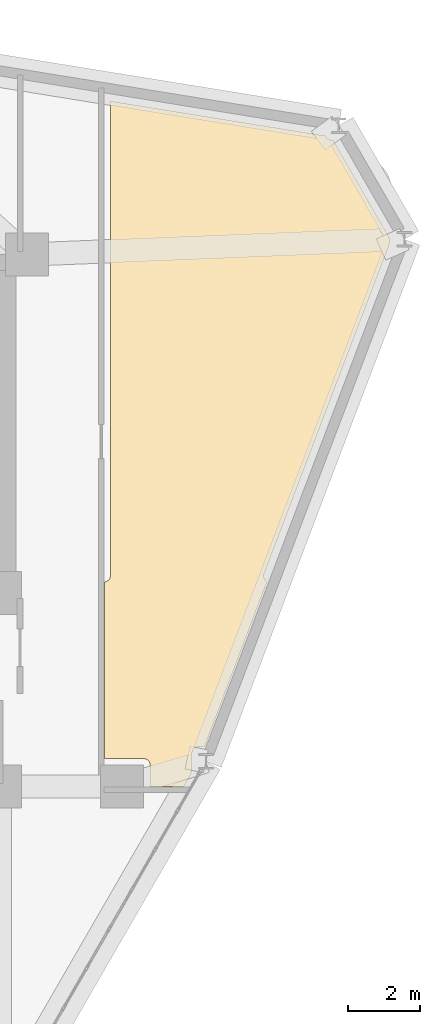
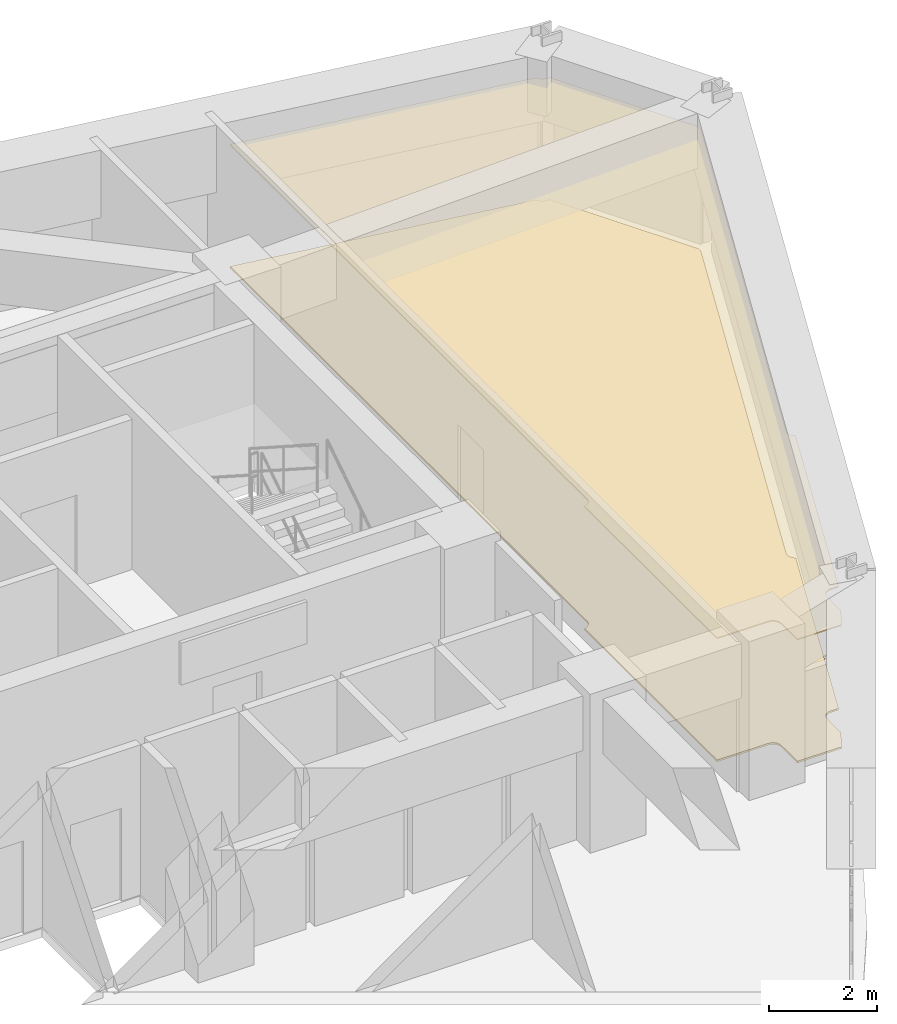
# One storey, part 16 of 16: 2 coverings.
"""IFC4 building model written with IfcOpenShell, lengths in metres."""

from ifc_helpers import new_model, si_unit, derived_unit, direction, frame, origin, place, context, subcontext, project, spatial, polyline, outline, extrude, material, layer, layer_set, type_object, element, save


model = new_model("IFC4")

# Units and contexts
model_context = context("Model", 3, precision=1e-05, world=origin(), true_north=direction((0.0, 1.0)))
body_context = subcontext(model_context, "Body", "Model", "MODEL_VIEW")
ifc_project = project(units=[si_unit("LENGTHUNIT", "METRE"), si_unit("AREAUNIT", "SQUARE_METRE"), si_unit("VOLUMEUNIT", "CUBIC_METRE"), si_unit("PLANEANGLEUNIT", "RADIAN"), si_unit("MASSUNIT", "GRAM", prefix="KILO"), derived_unit("THERMALTRANSMITTANCEUNIT", [(si_unit("POWERUNIT", "WATT"), 1), (si_unit("LENGTHUNIT", "METRE"), -2), (si_unit("THERMODYNAMICTEMPERATUREUNIT", "KELVIN"), -1)])], contexts=[model_context])

# Site, building, storey
site_placement = place(None, origin())
site = spatial("IfcSite", under=ifc_project, at=site_placement, CompositionType="ELEMENT")
building_placement = place(site_placement, origin())
building = spatial("IfcBuilding", under=site, at=building_placement, Name="Korsvarv Bourse and Concert Hall", CompositionType="ELEMENT")
storey_placement = place(building_placement, frame((0.0, 0.0, 143.39990234375)))
storey = spatial("IfcBuildingStorey", under=building, at=storey_placement, Name="L36", CompositionType="ELEMENT", Elevation=143.39990234375)

# Coverings
ifc_material_1 = material(Name="Perforated mineral-wool and birch acoustic baffle ceiling", Category="wood")
ifc_layer_1 = layer(ifc_material_1, 0.02490234375)
ifc_layer_set_1 = layer_set([ifc_layer_1], Name="Perforated mineral-wool and birch acoustic baffle ceiling")
covering_type_1 = type_object("IfcCoveringType", Name="COV-CEIL-1", PredefinedType="CEILING", material=ifc_layer_set_1)
covering_1_placement = place(storey_placement, frame((0.0, 0.0, 2.780029296875)))
element("IfcCovering", 1, at=covering_1_placement, inside=storey, type_object=covering_type_1, Name="L36 acoustic baffle ceiling 1", PredefinedType="CEILING", context=body_context, shape_type="SweptSolid", body=[
    extrude(outline(polyline([(47.320068359375, 38.111328125), (47.34521484375, 38.11572265625), (47.37939453125, 38.12841796875), (47.41015625, 38.147705078125), (47.4365234375, 38.1728515625), (47.45751953125, 38.20263671875), (47.4716796875, 38.236083984375), (47.47900390625, 38.271728515625), (47.47998046875, 51.533935546875), (53.472900390625, 50.564697265625), (53.48291015625, 50.542724609375), (53.50341796875, 50.512939453125), (53.529296875, 50.48779296875), (53.56005859375, 50.468505859375), (53.59375, 50.455810546875), (53.62939453125, 50.44970703125), (53.695556640625, 50.44580078125), (55.290283203125, 47.683837890625), (55.290283203125, 47.59326171875), (51.7744140625, 38.343505859375), (51.764892578125, 38.30810546875), (51.762939453125, 38.271728515625), (51.76806640625, 38.235595703125), (51.780517578125, 38.201416015625), (51.799560546875, 38.17041015625), (51.824462890625, 38.143798828125), (51.854248046875, 38.12255859375), (50.1083984375, 33.510009765625), (49.940185546875, 33.510009765625), (49.905517578125, 33.506591796875), (49.872314453125, 33.49658203125), (49.84130859375, 33.48046875), (49.814208984375, 33.458740234375), (49.7919921875, 33.43212890625), (49.77490234375, 33.401611328125), (49.764404296875, 33.36865234375), (49.760009765625, 33.333984375), (49.75, 32.888916015625), (49.752685546875, 32.853759765625), (49.762451171875, 32.819580078125), (49.52978515625, 32.394775390625), (49.5048828125, 32.402099609375), (49.469482421875, 32.405517578125), (48.590087890625, 32.4091796875), (48.590087890625, 33.0), (48.586669921875, 33.034912109375), (48.576416015625, 33.068603515625), (48.56005859375, 33.099609375), (48.537841796875, 33.126708984375), (48.5107421875, 33.149169921875), (48.47998046875, 33.166015625), (48.4462890625, 33.17626953125), (48.41162109375, 33.179931640625), (47.320068359375, 33.18896484375), (47.320068359375, 38.111328125)])), origin(), (0.0, 0.0, 1.0), 0.025146484375),
])
ifc_material_2 = material(Name="Calcium-sulphate raised access trading floor with Nordic oak top", Category="wood")
ifc_layer_2 = layer(ifc_material_2, 0.0400390625)
ifc_layer_set_2 = layer_set([ifc_layer_2], Name="Calcium-sulphate raised access trading floor with Nordic oak top")
covering_type_2 = type_object("IfcCoveringType", Name="COV-FLOR-1", PredefinedType="FLOORING", material=ifc_layer_set_2)
covering_2_placement = place(storey_placement, origin())
element("IfcCovering", 2, at=covering_2_placement, inside=storey, type_object=covering_type_2, Name="L36 raised access oak floor finish 1", PredefinedType="FLOORING", context=body_context, shape_type="SweptSolid", body=[
    extrude(outline(polyline([(47.320068359375, 38.111328125), (47.34521484375, 38.11572265625), (47.37939453125, 38.12841796875), (47.41015625, 38.147705078125), (47.4365234375, 38.1728515625), (47.45751953125, 38.20263671875), (47.4716796875, 38.236083984375), (47.47900390625, 38.271728515625), (47.47998046875, 51.533935546875), (53.472900390625, 50.564697265625), (53.48291015625, 50.542724609375), (53.50341796875, 50.512939453125), (53.529296875, 50.48779296875), (53.56005859375, 50.468505859375), (53.59375, 50.455810546875), (53.62939453125, 50.44970703125), (53.695556640625, 50.44580078125), (55.290283203125, 47.683837890625), (55.290283203125, 47.59326171875), (51.7744140625, 38.343505859375), (51.764892578125, 38.30810546875), (51.762939453125, 38.271728515625), (51.76806640625, 38.235595703125), (51.780517578125, 38.201416015625), (51.799560546875, 38.17041015625), (51.824462890625, 38.143798828125), (51.854248046875, 38.12255859375), (50.1083984375, 33.510009765625), (49.940185546875, 33.510009765625), (49.905517578125, 33.506591796875), (49.872314453125, 33.49658203125), (49.84130859375, 33.48046875), (49.814208984375, 33.458740234375), (49.7919921875, 33.43212890625), (49.77490234375, 33.401611328125), (49.764404296875, 33.36865234375), (49.760009765625, 33.333984375), (49.75, 32.888916015625), (49.752685546875, 32.853759765625), (49.762451171875, 32.819580078125), (49.52978515625, 32.394775390625), (49.5048828125, 32.402099609375), (49.469482421875, 32.405517578125), (48.590087890625, 32.4091796875), (48.590087890625, 33.0), (48.586669921875, 33.034912109375), (48.576416015625, 33.068603515625), (48.56005859375, 33.099609375), (48.537841796875, 33.126708984375), (48.5107421875, 33.149169921875), (48.47998046875, 33.166015625), (48.4462890625, 33.17626953125), (48.41162109375, 33.179931640625), (47.320068359375, 33.18896484375), (47.320068359375, 38.111328125)])), origin(), (0.0, 0.0, 1.0), 0.0400390625),
])

save(model, "model.ifc")
